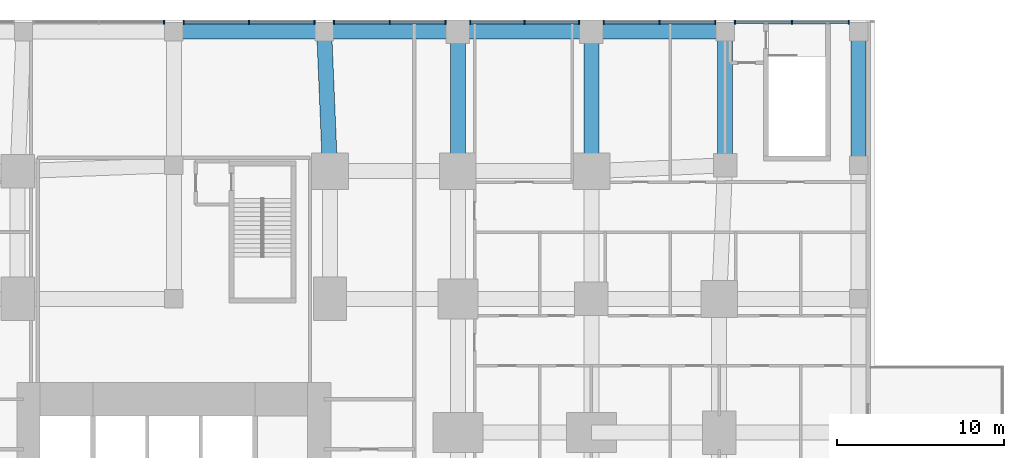
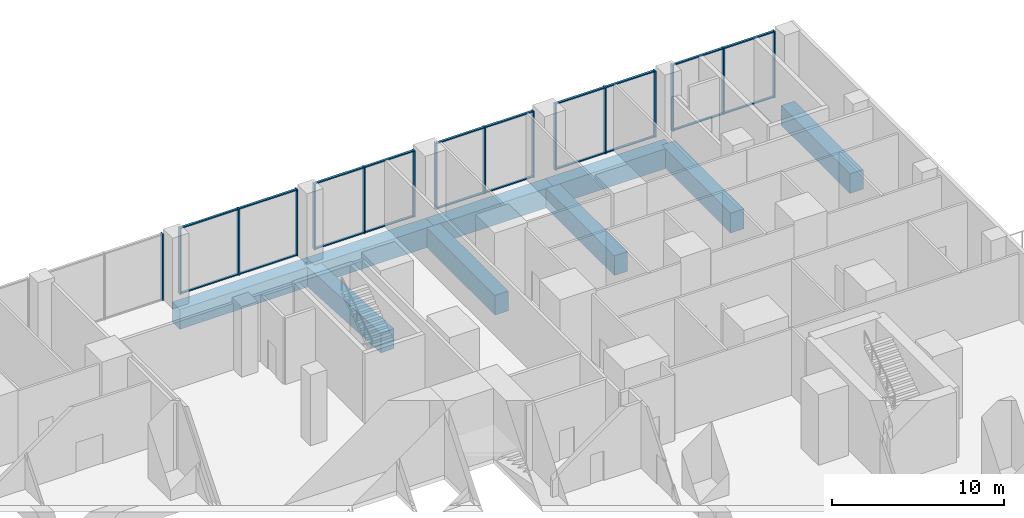
# One storey, part 4 of 19: 36 members, 9 beams, 6 elements without a shape of their own.
"""IFC4 building model written with IfcOpenShell, lengths in metres."""

from ifc_helpers import new_model, si_unit, direction, frame, origin, origin_2d, place, context, subcontext, project, spatial, rectangle, extrude, material, layer, layer_set, material_profile, profile_set, type_object, element, aggregate, save


model = new_model("IFC4")

# Units and contexts
model_context = context("Model", 3, precision=1e-05, world=origin(), true_north=direction((0.0, 1.0)))
body_context = subcontext(model_context, "Body", "Model", "MODEL_VIEW")
ifc_project = project(units=[si_unit("LENGTHUNIT", "METRE"), si_unit("AREAUNIT", "SQUARE_METRE"), si_unit("VOLUMEUNIT", "CUBIC_METRE"), si_unit("PLANEANGLEUNIT", "RADIAN"), si_unit("MASSUNIT", "GRAM", prefix="KILO")], contexts=[model_context])

# Site, building, storey
site_placement = place(None, origin())
site = spatial("IfcSite", under=ifc_project, at=site_placement, CompositionType="ELEMENT")
building_placement = place(site_placement, origin())
building = spatial("IfcBuilding", under=site, at=building_placement, Name="Cleftline Residences", CompositionType="ELEMENT")
storey_placement = place(building_placement, frame((0.0, 0.0, 11.0)))
storey = spatial("IfcBuildingStorey", under=building, at=storey_placement, Name="L02", CompositionType="ELEMENT", Elevation=11.0)

# Beams
ifc_material_1 = material(Name="Concrete B45", Category="concrete")
ifc_material_profile_1 = material_profile(ifc_material_1, rectangle(XDim=0.89990234375, YDim=1.39990234375, at=origin_2d()))
ifc_profile_set_1 = profile_set([ifc_material_profile_1], Name="Concrete B45")
beam_type = type_object("IfcBeamType", Name="BEAM RC900X1400", PredefinedType="BEAM", material=ifc_profile_set_1)
beam_1_placement = place(storey_placement, frame((33.0, 56.0, -1.0), z_axis=(1.0, 0.0, 0.0), x_axis=(0.0, 1.0, 0.0)))
element("IfcBeam", 1, at=beam_1_placement, inside=storey, type_object=beam_type, Name="Podium beam", PredefinedType="BEAM", context=body_context, shape_type="SweptSolid", body=[
    extrude(rectangle(XDim=0.89990234375, YDim=1.39990234375, at=origin_2d()), origin(), (0.0, 0.0, 1.0), 9.0),
])
for number, where, z_axis, x_axis, name in (
    (2, (42.0, 56.0, -1.0), (1.0, 0.0, 0.0), (0.0, 1.0, 0.0), "Podium beam"),
    (3, (50.0, 56.0, -1.0), (1.0, 0.0, 0.0), (0.0, 1.0, 0.0), "Podium beam"),
    (4, (58.0, 56.0, -1.0), (1.0, 0.0, 0.0), (0.0, 1.0, 0.0), "Podium beam"),
):
    element("IfcBeam", number, at=place(storey_placement, frame(where, z_axis=z_axis, x_axis=x_axis)), inside=storey, type_object=beam_type, Name=name, PredefinedType="BEAM", context=body_context, shape_type="SweptSolid", body=[
        extrude(rectangle(XDim=0.89990234375, YDim=1.39990234375, at=origin_2d()), origin(), (0.0, 0.0, 1.0), 8.0),
    ])
beam_2_placement = place(storey_placement, frame((42.35009765625, 47.64990234375, -1.0), z_axis=(-0.041890569024, 0.999122204851, 0.0), x_axis=(-0.999122204851, -0.041890569024, 0.0)))
element("IfcBeam", 5, at=beam_2_placement, inside=storey, type_object=beam_type, Name="Podium beam", PredefinedType="BEAM", context=body_context, shape_type="SweptSolid", body=[
    extrude(rectangle(XDim=0.89990234375, YDim=1.39990234375, at=origin_2d()), origin(), (0.0, 0.0, 1.0), 8.357421875),
])
for number, where, z_axis, x_axis, name in (
    (6, (50.0, 47.64990234375, -1.0), (0.0, 1.0, 0.0), (-1.0, 0.0, 0.0), "Podium beam"),
    (7, (58.0, 47.64990234375, -1.0), (0.0, 1.0, 0.0), (-1.0, 0.0, 0.0), "Podium beam"),
):
    element("IfcBeam", number, at=place(storey_placement, frame(where, z_axis=z_axis, x_axis=x_axis)), inside=storey, type_object=beam_type, Name=name, PredefinedType="BEAM", context=body_context, shape_type="SweptSolid", body=[
        extrude(rectangle(XDim=0.89990234375, YDim=1.39990234375, at=origin_2d()), origin(), (0.0, 0.0, 1.0), 8.35009765625),
    ])
for number, where, z_axis, x_axis, name in (
    (8, (66.0, 48.0, -1.0), (0.0, 1.0, 0.0), (-1.0, 0.0, 0.0), "Podium beam"),
    (9, (74.0, 48.0, -1.0), (0.0, 1.0, 0.0), (-1.0, 0.0, 0.0), "Podium beam"),
):
    element("IfcBeam", number, at=place(storey_placement, frame(where, z_axis=z_axis, x_axis=x_axis)), inside=storey, type_object=beam_type, Name=name, PredefinedType="BEAM", context=body_context, shape_type="SweptSolid", body=[
        extrude(rectangle(XDim=0.89990234375, YDim=1.39990234375, at=origin_2d()), origin(), (0.0, 0.0, 1.0), 8.0),
    ])

# Curtain wall, members
ifc_material_2 = material(Name="Aluminium framed curtain wall", Category="aluminium")
ifc_layer = layer(ifc_material_2, 0.199951171875)
ifc_layer_set = layer_set([ifc_layer], Name="CW2 PODIUM GLAZING")
curtain_wall_type = type_object("IfcCurtainWallType", Name="CW2 PODIUM GLAZING", PredefinedType="NOTDEFINED", material=ifc_layer_set)
curtain_wall_1_placement = place(storey_placement, origin())
curtain_wall_1 = element("IfcCurtainWall", 10, at=curtain_wall_1_placement, inside=storey, type_object=curtain_wall_type, Name="Curtain wall CW2", PredefinedType="NOTDEFINED")
ifc_material_3 = material(Name="Aluminium mullion", Category="aluminium")
ifc_material_profile_2 = material_profile(ifc_material_3, rectangle(XDim=0.25, YDim=0.080078125, at=origin_2d()))
ifc_profile_set_2 = profile_set([ifc_material_profile_2], Name="Aluminium mullion")
member_type_1 = type_object("IfcMemberType", Name="CW2 MULLION", PredefinedType="MULLION", material=ifc_profile_set_2)
member_1_placement = place(storey_placement, frame((73.409912109375, 56.574951171875, 0.0), z_axis=(0.0, 0.0, 1.0), x_axis=(0.0, -1.0, 0.0)))
member_1 = element("IfcMember", 11, at=member_1_placement, type_object=member_type_1, Name="CW2 mullion 1", PredefinedType="MULLION", context=body_context, shape_type="SweptSolid", body=[
    extrude(rectangle(XDim=0.25, YDim=0.080078125, at=origin_2d()), origin(), (0.0, 0.0, 1.0), 4.699951171875),
])
member_2_placement = place(storey_placement, frame((70.0, 56.574951171875, 0.0), z_axis=(0.0, 0.0, 1.0), x_axis=(0.0, -1.0, 0.0)))
member_2 = element("IfcMember", 12, at=member_2_placement, type_object=member_type_1, Name="CW2 mullion 2", PredefinedType="MULLION", context=body_context, shape_type="SweptSolid", body=[
    extrude(rectangle(XDim=0.25, YDim=0.080078125, at=origin_2d()), origin(), (0.0, 0.0, 1.0), 4.699951171875),
])
member_3_placement = place(storey_placement, frame((66.590087890625, 56.574951171875, 0.0), z_axis=(0.0, 0.0, 1.0), x_axis=(0.0, -1.0, 0.0)))
member_3 = element("IfcMember", 13, at=member_3_placement, type_object=member_type_1, Name="CW2 mullion 3", PredefinedType="MULLION", context=body_context, shape_type="SweptSolid", body=[
    extrude(rectangle(XDim=0.25, YDim=0.080078125, at=origin_2d()), origin(), (0.0, 0.0, 1.0), 4.699951171875),
])

curtain_wall_2_placement = place(storey_placement, origin())
curtain_wall_2 = element("IfcCurtainWall", 14, at=curtain_wall_2_placement, inside=storey, type_object=curtain_wall_type, Name="Curtain wall CW2", PredefinedType="NOTDEFINED")
member_4_placement = place(storey_placement, frame((65.409912109375, 56.574951171875, 0.0), z_axis=(0.0, 0.0, 1.0), x_axis=(0.0, -1.0, 0.0)))
member_4 = element("IfcMember", 15, at=member_4_placement, type_object=member_type_1, Name="CW2 mullion 1", PredefinedType="MULLION", context=body_context, shape_type="SweptSolid", body=[
    extrude(rectangle(XDim=0.25, YDim=0.080078125, at=origin_2d()), origin(), (0.0, 0.0, 1.0), 4.699951171875),
])
member_5_placement = place(storey_placement, frame((62.074951171875, 56.574951171875, 0.0), z_axis=(0.0, 0.0, 1.0), x_axis=(0.0, -1.0, 0.0)))
member_5 = element("IfcMember", 16, at=member_5_placement, type_object=member_type_1, Name="CW2 mullion 2", PredefinedType="MULLION", context=body_context, shape_type="SweptSolid", body=[
    extrude(rectangle(XDim=0.25, YDim=0.080078125, at=origin_2d()), origin(), (0.0, 0.0, 1.0), 4.699951171875),
])
member_6_placement = place(storey_placement, frame((58.739990234375, 56.574951171875, 0.0), z_axis=(0.0, 0.0, 1.0), x_axis=(0.0, -1.0, 0.0)))
member_6 = element("IfcMember", 17, at=member_6_placement, type_object=member_type_1, Name="CW2 mullion 3", PredefinedType="MULLION", context=body_context, shape_type="SweptSolid", body=[
    extrude(rectangle(XDim=0.25, YDim=0.080078125, at=origin_2d()), origin(), (0.0, 0.0, 1.0), 4.699951171875),
])

curtain_wall_3_placement = place(storey_placement, origin())
curtain_wall_3 = element("IfcCurtainWall", 18, at=curtain_wall_3_placement, inside=storey, type_object=curtain_wall_type, Name="Curtain wall CW2", PredefinedType="NOTDEFINED")
member_7_placement = place(storey_placement, frame((57.260009765625, 56.574951171875, 0.0), z_axis=(0.0, 0.0, 1.0), x_axis=(0.0, -1.0, 0.0)))
member_7 = element("IfcMember", 19, at=member_7_placement, type_object=member_type_1, Name="CW2 mullion 1", PredefinedType="MULLION", context=body_context, shape_type="SweptSolid", body=[
    extrude(rectangle(XDim=0.25, YDim=0.080078125, at=origin_2d()), origin(), (0.0, 0.0, 1.0), 4.699951171875),
])
member_8_placement = place(storey_placement, frame((54.0, 56.574951171875, 0.0), z_axis=(0.0, 0.0, 1.0), x_axis=(0.0, -1.0, 0.0)))
member_8 = element("IfcMember", 20, at=member_8_placement, type_object=member_type_1, Name="CW2 mullion 2", PredefinedType="MULLION", context=body_context, shape_type="SweptSolid", body=[
    extrude(rectangle(XDim=0.25, YDim=0.080078125, at=origin_2d()), origin(), (0.0, 0.0, 1.0), 4.699951171875),
])
member_9_placement = place(storey_placement, frame((50.739990234375, 56.574951171875, 0.0), z_axis=(0.0, 0.0, 1.0), x_axis=(0.0, -1.0, 0.0)))
member_9 = element("IfcMember", 21, at=member_9_placement, type_object=member_type_1, Name="CW2 mullion 3", PredefinedType="MULLION", context=body_context, shape_type="SweptSolid", body=[
    extrude(rectangle(XDim=0.25, YDim=0.080078125, at=origin_2d()), origin(), (0.0, 0.0, 1.0), 4.699951171875),
])

curtain_wall_4_placement = place(storey_placement, origin())
curtain_wall_4 = element("IfcCurtainWall", 22, at=curtain_wall_4_placement, inside=storey, type_object=curtain_wall_type, Name="Curtain wall CW2", PredefinedType="NOTDEFINED")
member_10_placement = place(storey_placement, frame((49.260009765625, 56.574951171875, 0.0), z_axis=(0.0, 0.0, 1.0), x_axis=(0.0, -1.0, 0.0)))
member_10 = element("IfcMember", 23, at=member_10_placement, type_object=member_type_1, Name="CW2 mullion 1", PredefinedType="MULLION", context=body_context, shape_type="SweptSolid", body=[
    extrude(rectangle(XDim=0.25, YDim=0.080078125, at=origin_2d()), origin(), (0.0, 0.0, 1.0), 4.699951171875),
])
member_11_placement = place(storey_placement, frame((45.925048828125, 56.574951171875, 0.0), z_axis=(0.0, 0.0, 1.0), x_axis=(0.0, -1.0, 0.0)))
member_11 = element("IfcMember", 24, at=member_11_placement, type_object=member_type_1, Name="CW2 mullion 2", PredefinedType="MULLION", context=body_context, shape_type="SweptSolid", body=[
    extrude(rectangle(XDim=0.25, YDim=0.080078125, at=origin_2d()), origin(), (0.0, 0.0, 1.0), 4.699951171875),
])
member_12_placement = place(storey_placement, frame((42.590087890625, 56.574951171875, 0.0), z_axis=(0.0, 0.0, 1.0), x_axis=(0.0, -1.0, 0.0)))
member_12 = element("IfcMember", 25, at=member_12_placement, type_object=member_type_1, Name="CW2 mullion 3", PredefinedType="MULLION", context=body_context, shape_type="SweptSolid", body=[
    extrude(rectangle(XDim=0.25, YDim=0.080078125, at=origin_2d()), origin(), (0.0, 0.0, 1.0), 4.699951171875),
])

curtain_wall_5_placement = place(storey_placement, origin())
curtain_wall_5 = element("IfcCurtainWall", 26, at=curtain_wall_5_placement, inside=storey, type_object=curtain_wall_type, Name="Curtain wall CW2", PredefinedType="NOTDEFINED")
member_13_placement = place(storey_placement, frame((41.409912109375, 56.574951171875, 0.0), z_axis=(0.0, 0.0, 1.0), x_axis=(0.0, -1.0, 0.0)))
member_13 = element("IfcMember", 27, at=member_13_placement, type_object=member_type_1, Name="CW2 mullion 1", PredefinedType="MULLION", context=body_context, shape_type="SweptSolid", body=[
    extrude(rectangle(XDim=0.25, YDim=0.080078125, at=origin_2d()), origin(), (0.0, 0.0, 1.0), 4.699951171875),
])
member_14_placement = place(storey_placement, frame((37.5, 56.574951171875, 0.0), z_axis=(0.0, 0.0, 1.0), x_axis=(0.0, -1.0, 0.0)))
member_14 = element("IfcMember", 28, at=member_14_placement, type_object=member_type_1, Name="CW2 mullion 2", PredefinedType="MULLION", context=body_context, shape_type="SweptSolid", body=[
    extrude(rectangle(XDim=0.25, YDim=0.080078125, at=origin_2d()), origin(), (0.0, 0.0, 1.0), 4.699951171875),
])
member_15_placement = place(storey_placement, frame((33.590087890625, 56.574951171875, 0.0), z_axis=(0.0, 0.0, 1.0), x_axis=(0.0, -1.0, 0.0)))
member_15 = element("IfcMember", 29, at=member_15_placement, type_object=member_type_1, Name="CW2 mullion 3", PredefinedType="MULLION", context=body_context, shape_type="SweptSolid", body=[
    extrude(rectangle(XDim=0.25, YDim=0.080078125, at=origin_2d()), origin(), (0.0, 0.0, 1.0), 4.699951171875),
])

# Curtain wall, member
curtain_wall_6_placement = place(storey_placement, origin())
curtain_wall_6 = element("IfcCurtainWall", 30, at=curtain_wall_6_placement, inside=storey, type_object=curtain_wall_type, Name="Curtain wall CW2", PredefinedType="NOTDEFINED")
member_16_placement = place(storey_placement, frame((32.409912109375, 56.574951171875, 0.0), z_axis=(0.0, 0.0, 1.0), x_axis=(0.0, -1.0, 0.0)))
member_16 = element("IfcMember", 31, at=member_16_placement, type_object=member_type_1, Name="CW2 mullion 1", PredefinedType="MULLION", context=body_context, shape_type="SweptSolid", body=[
    extrude(rectangle(XDim=0.25, YDim=0.080078125, at=origin_2d()), origin(), (0.0, 0.0, 1.0), 4.699951171875),
])
aggregate(curtain_wall_6, [member_16])

# Member
ifc_material_4 = material(Name="Aluminium transom", Category="aluminium")
ifc_material_profile_3 = material_profile(ifc_material_4, rectangle(XDim=0.14990234375, YDim=0.080078125, at=origin_2d()))
ifc_profile_set_3 = profile_set([ifc_material_profile_3], Name="Aluminium transom")
member_type_2 = type_object("IfcMemberType", Name="CW2 TRANSOM", PredefinedType="USERDEFINED", material=ifc_profile_set_3)
member_17_placement = place(storey_placement, frame((73.3701171875, 56.574951171875, 0.0400390625), z_axis=(-1.0, 0.0, 0.0), x_axis=(0.0, -1.0, 0.0)))
member_17 = element("IfcMember", 32, at=member_17_placement, type_object=member_type_2, Name="CW2 transom 1.1", ObjectType="TRANSOM", PredefinedType="USERDEFINED", context=body_context, shape_type="SweptSolid", body=[
    extrude(rectangle(XDim=0.14990234375, YDim=0.080078125, at=origin_2d()), origin(), (0.0, 0.0, 1.0), 3.330078125),
])

member_18_placement = place(storey_placement, frame((73.3701171875, 56.574951171875, 4.659912109375), z_axis=(-1.0, 0.0, 0.0), x_axis=(0.0, -1.0, 0.0)))
member_18 = element("IfcMember", 33, at=member_18_placement, type_object=member_type_2, Name="CW2 transom 1.2", ObjectType="TRANSOM", PredefinedType="USERDEFINED", context=body_context, shape_type="SweptSolid", body=[
    extrude(rectangle(XDim=0.14990234375, YDim=0.080078125, at=origin_2d()), origin(), (0.0, 0.0, 1.0), 3.330078125),
])

member_19_placement = place(storey_placement, frame((69.9599609375, 56.574951171875, 0.0400390625), z_axis=(-1.0, 0.0, 0.0), x_axis=(0.0, -1.0, 0.0)))
member_19 = element("IfcMember", 34, at=member_19_placement, type_object=member_type_2, Name="CW2 transom 2.1", ObjectType="TRANSOM", PredefinedType="USERDEFINED", context=body_context, shape_type="SweptSolid", body=[
    extrude(rectangle(XDim=0.14990234375, YDim=0.080078125, at=origin_2d()), origin(), (0.0, 0.0, 1.0), 3.330078125),
])

member_20_placement = place(storey_placement, frame((69.9599609375, 56.574951171875, 4.659912109375), z_axis=(-1.0, 0.0, 0.0), x_axis=(0.0, -1.0, 0.0)))
member_20 = element("IfcMember", 35, at=member_20_placement, type_object=member_type_2, Name="CW2 transom 2.2", ObjectType="TRANSOM", PredefinedType="USERDEFINED", context=body_context, shape_type="SweptSolid", body=[
    extrude(rectangle(XDim=0.14990234375, YDim=0.080078125, at=origin_2d()), origin(), (0.0, 0.0, 1.0), 3.330078125),
])

aggregate(curtain_wall_1, [member_1, member_2, member_3, member_17, member_18, member_19, member_20])

member_21_placement = place(storey_placement, frame((65.3701171875, 56.574951171875, 0.0400390625), z_axis=(-1.0, 0.0, 0.0), x_axis=(0.0, -1.0, 0.0)))
member_21 = element("IfcMember", 36, at=member_21_placement, type_object=member_type_2, Name="CW2 transom 1.1", ObjectType="TRANSOM", PredefinedType="USERDEFINED", context=body_context, shape_type="SweptSolid", body=[
    extrude(rectangle(XDim=0.14990234375, YDim=0.080078125, at=origin_2d()), origin(), (0.0, 0.0, 1.0), 3.255126953125),
])

member_22_placement = place(storey_placement, frame((65.3701171875, 56.574951171875, 4.659912109375), z_axis=(-1.0, 0.0, 0.0), x_axis=(0.0, -1.0, 0.0)))
member_22 = element("IfcMember", 37, at=member_22_placement, type_object=member_type_2, Name="CW2 transom 1.2", ObjectType="TRANSOM", PredefinedType="USERDEFINED", context=body_context, shape_type="SweptSolid", body=[
    extrude(rectangle(XDim=0.14990234375, YDim=0.080078125, at=origin_2d()), origin(), (0.0, 0.0, 1.0), 3.255126953125),
])

member_23_placement = place(storey_placement, frame((62.034912109375, 56.574951171875, 0.0400390625), z_axis=(-1.0, 0.0, 0.0), x_axis=(0.0, -1.0, 0.0)))
member_23 = element("IfcMember", 38, at=member_23_placement, type_object=member_type_2, Name="CW2 transom 2.1", ObjectType="TRANSOM", PredefinedType="USERDEFINED", context=body_context, shape_type="SweptSolid", body=[
    extrude(rectangle(XDim=0.14990234375, YDim=0.080078125, at=origin_2d()), origin(), (0.0, 0.0, 1.0), 3.2548828125),
])

member_24_placement = place(storey_placement, frame((62.034912109375, 56.574951171875, 4.659912109375), z_axis=(-1.0, 0.0, 0.0), x_axis=(0.0, -1.0, 0.0)))
member_24 = element("IfcMember", 39, at=member_24_placement, type_object=member_type_2, Name="CW2 transom 2.2", ObjectType="TRANSOM", PredefinedType="USERDEFINED", context=body_context, shape_type="SweptSolid", body=[
    extrude(rectangle(XDim=0.14990234375, YDim=0.080078125, at=origin_2d()), origin(), (0.0, 0.0, 1.0), 3.2548828125),
])

aggregate(curtain_wall_2, [member_4, member_5, member_6, member_21, member_22, member_23, member_24])

member_25_placement = place(storey_placement, frame((57.219970703125, 56.574951171875, 0.0400390625), z_axis=(-1.0, 0.0, 0.0), x_axis=(0.0, -1.0, 0.0)))
member_25 = element("IfcMember", 40, at=member_25_placement, type_object=member_type_2, Name="CW2 transom 1.1", ObjectType="TRANSOM", PredefinedType="USERDEFINED", context=body_context, shape_type="SweptSolid", body=[
    extrude(rectangle(XDim=0.14990234375, YDim=0.080078125, at=origin_2d()), origin(), (0.0, 0.0, 1.0), 3.179931640625),
])

member_26_placement = place(storey_placement, frame((57.219970703125, 56.574951171875, 4.659912109375), z_axis=(-1.0, 0.0, 0.0), x_axis=(0.0, -1.0, 0.0)))
member_26 = element("IfcMember", 41, at=member_26_placement, type_object=member_type_2, Name="CW2 transom 1.2", ObjectType="TRANSOM", PredefinedType="USERDEFINED", context=body_context, shape_type="SweptSolid", body=[
    extrude(rectangle(XDim=0.14990234375, YDim=0.080078125, at=origin_2d()), origin(), (0.0, 0.0, 1.0), 3.179931640625),
])

member_27_placement = place(storey_placement, frame((53.9599609375, 56.574951171875, 0.0400390625), z_axis=(-1.0, 0.0, 0.0), x_axis=(0.0, -1.0, 0.0)))
member_27 = element("IfcMember", 42, at=member_27_placement, type_object=member_type_2, Name="CW2 transom 2.1", ObjectType="TRANSOM", PredefinedType="USERDEFINED", context=body_context, shape_type="SweptSolid", body=[
    extrude(rectangle(XDim=0.14990234375, YDim=0.080078125, at=origin_2d()), origin(), (0.0, 0.0, 1.0), 3.179931640625),
])

member_28_placement = place(storey_placement, frame((53.9599609375, 56.574951171875, 4.659912109375), z_axis=(-1.0, 0.0, 0.0), x_axis=(0.0, -1.0, 0.0)))
member_28 = element("IfcMember", 43, at=member_28_placement, type_object=member_type_2, Name="CW2 transom 2.2", ObjectType="TRANSOM", PredefinedType="USERDEFINED", context=body_context, shape_type="SweptSolid", body=[
    extrude(rectangle(XDim=0.14990234375, YDim=0.080078125, at=origin_2d()), origin(), (0.0, 0.0, 1.0), 3.179931640625),
])

aggregate(curtain_wall_3, [member_7, member_8, member_9, member_25, member_26, member_27, member_28])

member_29_placement = place(storey_placement, frame((49.219970703125, 56.574951171875, 0.0400390625), z_axis=(-1.0, 0.0, 0.0), x_axis=(0.0, -1.0, 0.0)))
member_29 = element("IfcMember", 44, at=member_29_placement, type_object=member_type_2, Name="CW2 transom 1.1", ObjectType="TRANSOM", PredefinedType="USERDEFINED", context=body_context, shape_type="SweptSolid", body=[
    extrude(rectangle(XDim=0.14990234375, YDim=0.080078125, at=origin_2d()), origin(), (0.0, 0.0, 1.0), 3.2548828125),
])

member_30_placement = place(storey_placement, frame((49.219970703125, 56.574951171875, 4.659912109375), z_axis=(-1.0, 0.0, 0.0), x_axis=(0.0, -1.0, 0.0)))
member_30 = element("IfcMember", 45, at=member_30_placement, type_object=member_type_2, Name="CW2 transom 1.2", ObjectType="TRANSOM", PredefinedType="USERDEFINED", context=body_context, shape_type="SweptSolid", body=[
    extrude(rectangle(XDim=0.14990234375, YDim=0.080078125, at=origin_2d()), origin(), (0.0, 0.0, 1.0), 3.2548828125),
])

member_31_placement = place(storey_placement, frame((45.885009765625, 56.574951171875, 0.0400390625), z_axis=(-1.0, 0.0, 0.0), x_axis=(0.0, -1.0, 0.0)))
member_31 = element("IfcMember", 46, at=member_31_placement, type_object=member_type_2, Name="CW2 transom 2.1", ObjectType="TRANSOM", PredefinedType="USERDEFINED", context=body_context, shape_type="SweptSolid", body=[
    extrude(rectangle(XDim=0.14990234375, YDim=0.080078125, at=origin_2d()), origin(), (0.0, 0.0, 1.0), 3.255126953125),
])

member_32_placement = place(storey_placement, frame((45.885009765625, 56.574951171875, 4.659912109375), z_axis=(-1.0, 0.0, 0.0), x_axis=(0.0, -1.0, 0.0)))
member_32 = element("IfcMember", 47, at=member_32_placement, type_object=member_type_2, Name="CW2 transom 2.2", ObjectType="TRANSOM", PredefinedType="USERDEFINED", context=body_context, shape_type="SweptSolid", body=[
    extrude(rectangle(XDim=0.14990234375, YDim=0.080078125, at=origin_2d()), origin(), (0.0, 0.0, 1.0), 3.255126953125),
])

aggregate(curtain_wall_4, [member_10, member_11, member_12, member_29, member_30, member_31, member_32])

member_33_placement = place(storey_placement, frame((41.3701171875, 56.574951171875, 0.0400390625), z_axis=(-1.0, 0.0, 0.0), x_axis=(0.0, -1.0, 0.0)))
member_33 = element("IfcMember", 48, at=member_33_placement, type_object=member_type_2, Name="CW2 transom 1.1", ObjectType="TRANSOM", PredefinedType="USERDEFINED", context=body_context, shape_type="SweptSolid", body=[
    extrude(rectangle(XDim=0.14990234375, YDim=0.080078125, at=origin_2d()), origin(), (0.0, 0.0, 1.0), 3.830078125),
])

member_34_placement = place(storey_placement, frame((41.3701171875, 56.574951171875, 4.659912109375), z_axis=(-1.0, 0.0, 0.0), x_axis=(0.0, -1.0, 0.0)))
member_34 = element("IfcMember", 49, at=member_34_placement, type_object=member_type_2, Name="CW2 transom 1.2", ObjectType="TRANSOM", PredefinedType="USERDEFINED", context=body_context, shape_type="SweptSolid", body=[
    extrude(rectangle(XDim=0.14990234375, YDim=0.080078125, at=origin_2d()), origin(), (0.0, 0.0, 1.0), 3.830078125),
])

member_35_placement = place(storey_placement, frame((37.4599609375, 56.574951171875, 0.0400390625), z_axis=(-1.0, 0.0, 0.0), x_axis=(0.0, -1.0, 0.0)))
member_35 = element("IfcMember", 50, at=member_35_placement, type_object=member_type_2, Name="CW2 transom 2.1", ObjectType="TRANSOM", PredefinedType="USERDEFINED", context=body_context, shape_type="SweptSolid", body=[
    extrude(rectangle(XDim=0.14990234375, YDim=0.080078125, at=origin_2d()), origin(), (0.0, 0.0, 1.0), 3.830078125),
])

member_36_placement = place(storey_placement, frame((37.4599609375, 56.574951171875, 4.659912109375), z_axis=(-1.0, 0.0, 0.0), x_axis=(0.0, -1.0, 0.0)))
member_36 = element("IfcMember", 51, at=member_36_placement, type_object=member_type_2, Name="CW2 transom 2.2", ObjectType="TRANSOM", PredefinedType="USERDEFINED", context=body_context, shape_type="SweptSolid", body=[
    extrude(rectangle(XDim=0.14990234375, YDim=0.080078125, at=origin_2d()), origin(), (0.0, 0.0, 1.0), 3.830078125),
])

aggregate(curtain_wall_5, [member_13, member_14, member_15, member_33, member_34, member_35, member_36])

save(model, "model.ifc")
